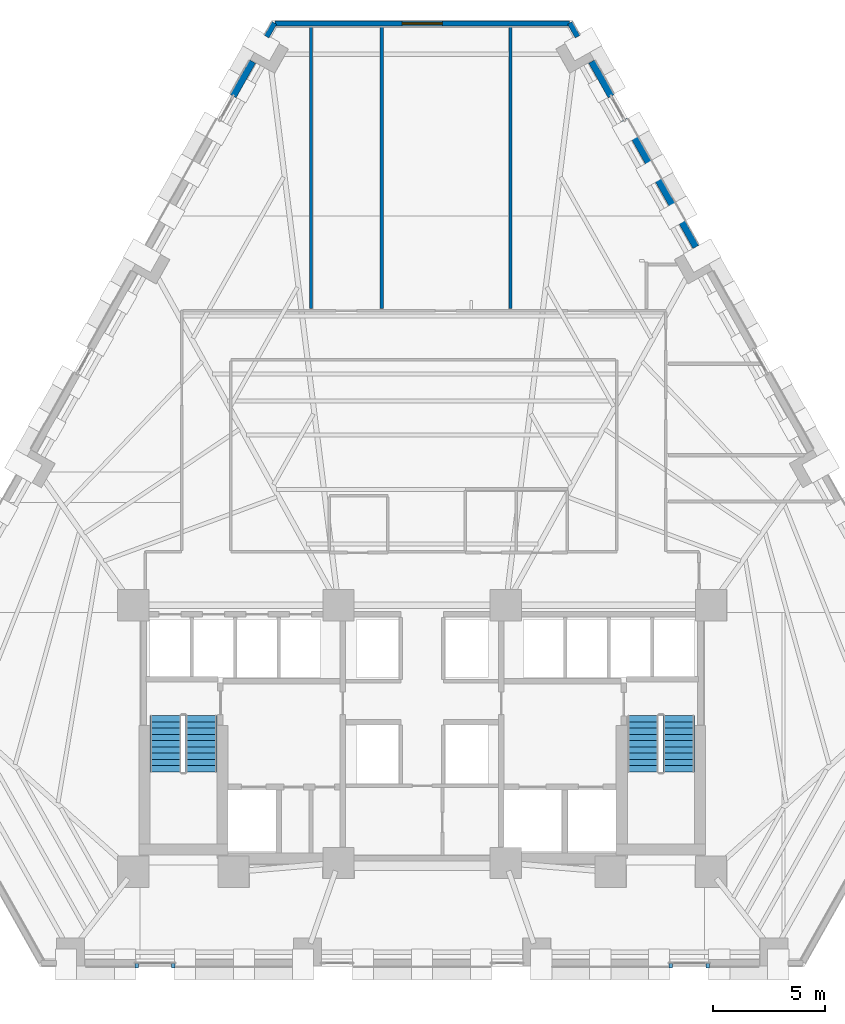
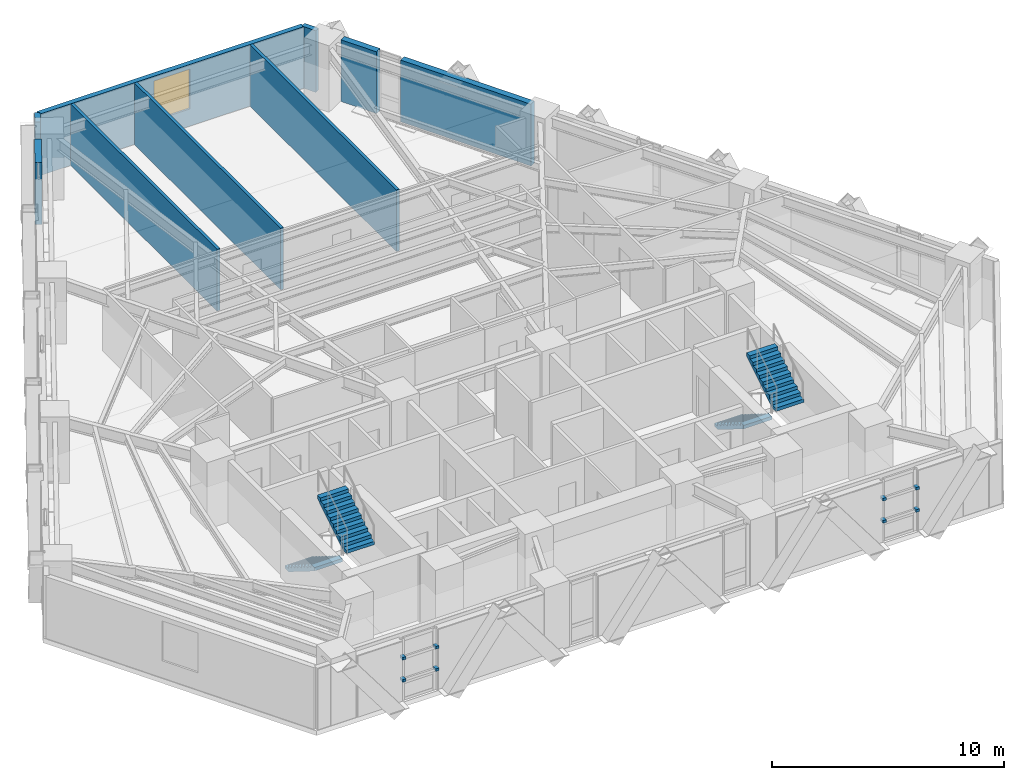
# One storey, part 9 of 13: 9 walls, 8 discrete accessories, 4 stair flights, 1 window, 1 opening, 2 elements without a shape of their own.
"""IFC4 building model written with IfcOpenShell, lengths in metres."""

from ifc_helpers import new_model, si_unit, direction, frame, frame_2d, origin, origin_2d, place, context, subcontext, project, spatial, polyline, rectangle, outline, extrude, material, layer, layer_set, type_object, element, fill, aggregate, save


model = new_model("IFC4")

# Units and contexts
model_context = context("Model", 3, precision=1e-05, world=origin(), true_north=direction((0.0, 1.0)))
body_context = subcontext(model_context, "Body", "Model", "MODEL_VIEW")
ifc_project = project(units=[si_unit("LENGTHUNIT", "METRE"), si_unit("AREAUNIT", "SQUARE_METRE"), si_unit("VOLUMEUNIT", "CUBIC_METRE"), si_unit("PLANEANGLEUNIT", "RADIAN"), si_unit("MASSUNIT", "GRAM", prefix="KILO")], contexts=[model_context])

# Site, building, storey
site_placement = place(None, origin())
site = spatial("IfcSite", under=ifc_project, at=site_placement, CompositionType="ELEMENT")
building_placement = place(site_placement, origin())
building = spatial("IfcBuilding", under=site, at=building_placement, Name="Quenlor Broadcast Tower", CompositionType="ELEMENT")
storey_placement = place(building_placement, frame((0.0, 0.0, 34.60009765625)))
storey = spatial("IfcBuildingStorey", under=building, at=storey_placement, Name="L08", CompositionType="ELEMENT", Elevation=34.60009765625)

# Walls
ifc_material_1 = material(Name="Acoustic Double Stud Gypsum Partition", Category="other")
ifc_layer_1 = layer(ifc_material_1, 0.14990234375)
ifc_layer_set_1 = layer_set([ifc_layer_1], Name="Broadcast Studio Acoustic Partition 150")
wall_type_1 = type_object("IfcWallType", Name="Broadcast Studio Acoustic Partition 150", PredefinedType="PARTITIONING", material=ifc_layer_set_1)
for number, where, z_axis, x_axis, name in (
    (1, (-1.805908203125, 21.14990234375, 0.0), (0.0, 0.0, 1.0), (0.0, -1.0, 0.0), "L08 Interior Wall PW-DV-01"),
    (2, (-4.97998046875, 8.510009765625, 0.0), (0.0, 0.0, 1.0), (0.0, 1.0, 0.0), "L08 Interior Wall PW-DV-02"),
    (3, (3.9599609375, 21.14990234375, 0.0), (0.0, 0.0, 1.0), (0.0, -1.0, 0.0), "L08 Interior Wall PW-DV-03"),
):
    element("IfcWall", number, at=place(storey_placement, frame(where, z_axis=z_axis, x_axis=x_axis)), inside=storey, type_object=wall_type_1, Name=name, PredefinedType="PARTITIONING", context=body_context, shape_type="SweptSolid", body=[
        extrude(rectangle(XDim=12.639892578125, YDim=0.14990234375, at=frame_2d((6.31982421875, 0.0))), origin(), (0.0, 0.0, 1.0), 3.25),
    ])
ifc_material_2 = material(Name="Precast concrete C40/50", Category="concrete")
ifc_layer_2 = layer(ifc_material_2, 0.239990234375)
ifc_layer_set_2 = layer_set([ifc_layer_2], Name="Terrace Threshold Precast Concrete C40/50 Wall 240")
wall_type_2 = type_object("IfcWallType", Name="Terrace Threshold Precast Concrete C40/50 Wall 240", PredefinedType="STANDARD", material=ifc_layer_set_2)
for number, where, z_axis, x_axis, name in (
    (4, (6.621826171875, 21.30126953125, 0.0), (0.0, 0.0, 1.0), (0.490261239633, -0.871575537125, 0.0), "L08 Exterior Wall L08-SHD-NES0"),
    (5, (-6.968994140625, 20.68408203125, 0.0), (0.0, 0.0, 1.0), (0.490261239633, 0.871575537125, 0.0), "L08 Exterior Wall L08-SHD-NWS1"),
):
    element("IfcWall", number, at=place(storey_placement, frame(where, z_axis=z_axis, x_axis=x_axis)), inside=storey, type_object=wall_type_2, Name=name, PredefinedType="STANDARD", context=body_context, shape_type="SweptSolid", body=[
        extrude(rectangle(XDim=0.7080078125, YDim=0.239990234375, at=frame_2d((0.35400390625, 0.0))), origin(), (0.0, 0.0, 1.0), 3.25),
    ])

# Wall, opening, window
wall_1_placement = place(storey_placement, frame((6.598388671875, 21.27197265625, 0.0), z_axis=(0.0, 0.0, 1.0), x_axis=(-1.0, 0.0, 0.0)))
wall_1 = element("IfcWall", 6, at=wall_1_placement, inside=storey, type_object=wall_type_2, Name="L08 Exterior Wall L08-CNR-02", PredefinedType="STANDARD", context=body_context, shape_type="SweptSolid", body=[
    extrude(rectangle(XDim=13.186767578125, YDim=0.239990234375, at=frame_2d((6.59326171875, 0.0))), origin(), (0.0, 0.0, 1.0), 3.25),
])
opening_placement = place(wall_1_placement, frame((5.693115234375, 0.0, 0.89990234375)))
opening = element("IfcOpeningElement", 7, at=opening_placement, cuts=wall_1, Name="Opening WN-1", PredefinedType="OPENING", context=body_context, shape_type="SweptSolid", body=[
    extrude(rectangle(XDim=1.800048828125, YDim=2.10009765625, at=frame_2d((0.89990234375, 1.050048828125))), frame((0.0, 0.1298828125, 0.0), z_axis=(0.0, -1.0, 0.0), x_axis=(1.0, 0.0, 0.0)), (0.0, 0.0, 1.0), 0.260009765625),
])
ifc_material_3 = material(Name="Thermally Broken Aluminium and Low-E Glass", Category="aluminium")
window_type = type_object("IfcWindowType", Name="Tower Acoustic Vision Window 1800x2100", PartitioningType="SINGLE_PANEL", PredefinedType="WINDOW", material=ifc_material_3)
window_placement = place(opening_placement, origin())
window = element("IfcWindow", 8, at=window_placement, inside=storey, type_object=window_type, Name="L08 Corner Chamfer Window 2", OverallHeight=2.10009765625, OverallWidth=1.800048828125, PartitioningType="SINGLE_PANEL", PredefinedType="WINDOW", context=body_context, shape_type="SweptSolid", body=[
    extrude(rectangle(XDim=1.800048828125, YDim=2.10009765625, at=frame_2d((0.89990234375, 1.050048828125))), frame((0.0, 0.030029296875, 0.0), z_axis=(0.0, -1.0, 0.0), x_axis=(1.0, 0.0, 0.0)), (0.0, 0.0, 1.0), 0.06005859375),
])
fill(opening, window)

# Walls
ifc_material_4 = material(Name="Precast concrete C40/50", Category="concrete")
ifc_layer_3 = layer(ifc_material_4, 0.300048828125)
ifc_layer_set_3 = layer_set([ifc_layer_3], Name="Terracotta Precast Concrete C40/50 Spandrel Wall 300")
wall_type_3 = type_object("IfcWallType", Name="Terracotta Precast Concrete C40/50 Spandrel Wall 300", PredefinedType="STANDARD", material=ifc_layer_set_3)
wall_2_placement = place(storey_placement, frame((7.5966796875, 19.568603515625, 0.0), z_axis=(0.0, 0.0, 1.0), x_axis=(0.490215743191, -0.87160112731, 0.0)))
element("IfcWall", 9, at=wall_2_placement, inside=storey, type_object=wall_type_3, Name="L08 Exterior Wall L08-NEA-SP1", PredefinedType="STANDARD", context=body_context, shape_type="SweptSolid", body=[
    extrude(rectangle(XDim=1.783447265625, YDim=0.300048828125, at=frame_2d((0.8916015625, 0.0))), origin(), (0.0, 0.0, 1.0), 3.25),
])
wall_3_placement = place(storey_placement, frame((9.06298828125, 16.961669921875, 0.0), z_axis=(0.0, 0.0, 1.0), x_axis=(0.490270095534, -0.871570555621, 0.0)))
element("IfcWall", 10, at=wall_3_placement, inside=storey, type_object=wall_type_3, Name="L08 Exterior Wall L08-NEA-SP2", PredefinedType="STANDARD", context=body_context, shape_type="SweptSolid", body=[
    extrude(rectangle(XDim=6.54443359375, YDim=0.300048828125, at=frame_2d((3.272216796875, 0.0))), origin(), (0.0, 0.0, 1.0), 3.25),
])
wall_4_placement = place(storey_placement, frame((-8.470947265625, 18.01416015625, 0.0), z_axis=(0.0, 0.0, 1.0), x_axis=(0.490215743191, 0.87160112731, 0.0)))
element("IfcWall", 11, at=wall_4_placement, inside=storey, type_object=wall_type_3, Name="L08 Exterior Wall L08-NWC-SP2", PredefinedType="STANDARD", context=body_context, shape_type="SweptSolid", body=[
    extrude(rectangle(XDim=1.783447265625, YDim=0.300048828125, at=frame_2d((0.8916015625, 0.0))), origin(), (0.0, 0.0, 1.0), 3.25),
])

# Stair, stair flights
ifc_material_5 = material(Name="Precast concrete C40/50", Category="concrete")
stair_type = type_object("IfcStairType", Name="Precast Concrete C40/50 Dogleg Stair H350", PredefinedType="HALF_TURN_STAIR", material=ifc_material_5)
stair_1_placement = place(storey_placement, origin())
stair_1 = element("IfcStair", 12, at=stair_1_placement, inside=storey, type_object=stair_type, Name="L08 West Core Fire-Isolated Exit Stair ST-1", PredefinedType="HALF_TURN_STAIR")
ifc_material_6 = material(Name="Precast concrete C40/50", Category="concrete")
ifc_layer_4 = layer(ifc_material_6, 0.159912109375)
ifc_layer_set_4 = layer_set([ifc_layer_4], Name="Precast Concrete C40/50 Stair Flight H350")
stair_flight_type = type_object("IfcStairFlightType", Name="Precast Concrete C40/50 Stair Flight H350", PredefinedType="STRAIGHT", material=ifc_layer_set_4)
stair_flight_1_placement = place(storey_placement, frame((-11.5, -9.75, 0.0), z_axis=(0.0, 0.0, 1.0), x_axis=(0.0, -1.0, 0.0)))
stair_flight_1 = element("IfcStairFlight", 13, at=stair_flight_1_placement, type_object=stair_flight_type, Name="ST-1 flight 1", NumberOfRisers=10, NumberOfTreads=9, PredefinedType="STRAIGHT", RiserHeight=0.175, TreadLength=0.28, context=body_context, shape_type="SweptSolid", body=[
    extrude(outline(polyline([(0.0, 0.0), (0.0, 0.175048828125), (0.280029296875, 0.175048828125), (0.280029296875, 0.35009765625), (0.56005859375, 0.35009765625), (0.56005859375, 0.52490234375), (0.840087890625, 0.52490234375), (0.840087890625, 0.699951171875), (1.1201171875, 0.699951171875), (1.1201171875, 0.875), (1.39990234375, 0.875), (1.39990234375, 1.050048828125), (1.679931640625, 1.050048828125), (1.679931640625, 1.22509765625), (1.9599609375, 1.22509765625), (1.9599609375, 1.39990234375), (2.239990234375, 1.39990234375), (2.239990234375, 1.574951171875), (2.52001953125, 1.574951171875), (2.52001953125, 1.75), (2.52001953125, 1.398193359375), (0.28271484375, 0.0), (0.0, 0.0)])), frame((0.0, 0.699951171875, 0.0), z_axis=(0.0, -1.0, 0.0), x_axis=(1.0, 0.0, 0.0)), (0.0, 0.0, 1.0), 1.39990234375),
])
stair_flight_2_placement = place(storey_placement, frame((-9.89990234375, -12.27001953125, 1.75), z_axis=(0.0, 0.0, 1.0), x_axis=(0.0, 1.0, 0.0)))
stair_flight_2 = element("IfcStairFlight", 14, at=stair_flight_2_placement, type_object=stair_flight_type, Name="ST-1 flight 2", NumberOfRisers=10, NumberOfTreads=9, PredefinedType="STRAIGHT", RiserHeight=0.175, TreadLength=0.28, context=body_context, shape_type="SweptSolid", body=[
    extrude(outline(polyline([(0.0, 0.0), (0.0, 0.175048828125), (0.280029296875, 0.175048828125), (0.280029296875, 0.35009765625), (0.56005859375, 0.35009765625), (0.56005859375, 0.52490234375), (0.840087890625, 0.52490234375), (0.840087890625, 0.699951171875), (1.1201171875, 0.699951171875), (1.1201171875, 0.875), (1.39990234375, 0.875), (1.39990234375, 1.050048828125), (1.679931640625, 1.050048828125), (1.679931640625, 1.22509765625), (1.9599609375, 1.22509765625), (1.9599609375, 1.39990234375), (2.239990234375, 1.39990234375), (2.239990234375, 1.574951171875), (2.52001953125, 1.574951171875), (2.52001953125, 1.75), (2.52001953125, 1.398193359375), (0.28271484375, 0.0), (0.0, 0.0)])), frame((0.0, 0.699951171875, 0.0), z_axis=(0.0, -1.0, 0.0), x_axis=(1.0, 0.0, 0.0)), (0.0, 0.0, 1.0), 1.39990234375),
])
aggregate(stair_1, [stair_flight_1, stair_flight_2])

stair_2_placement = place(storey_placement, origin())
stair_2 = element("IfcStair", 15, at=stair_2_placement, inside=storey, type_object=stair_type, Name="L08 East Core Fire-Isolated Exit Stair ST-2", PredefinedType="HALF_TURN_STAIR")
stair_flight_3_placement = place(storey_placement, frame((9.89990234375, -9.75, 0.0), z_axis=(0.0, 0.0, 1.0), x_axis=(0.0, -1.0, 0.0)))
stair_flight_3 = element("IfcStairFlight", 16, at=stair_flight_3_placement, type_object=stair_flight_type, Name="ST-2 flight 1", NumberOfRisers=10, NumberOfTreads=9, PredefinedType="STRAIGHT", RiserHeight=0.175, TreadLength=0.28, context=body_context, shape_type="SweptSolid", body=[
    extrude(outline(polyline([(0.0, 0.0), (0.0, 0.175048828125), (0.280029296875, 0.175048828125), (0.280029296875, 0.35009765625), (0.56005859375, 0.35009765625), (0.56005859375, 0.52490234375), (0.840087890625, 0.52490234375), (0.840087890625, 0.699951171875), (1.1201171875, 0.699951171875), (1.1201171875, 0.875), (1.39990234375, 0.875), (1.39990234375, 1.050048828125), (1.679931640625, 1.050048828125), (1.679931640625, 1.22509765625), (1.9599609375, 1.22509765625), (1.9599609375, 1.39990234375), (2.239990234375, 1.39990234375), (2.239990234375, 1.574951171875), (2.52001953125, 1.574951171875), (2.52001953125, 1.75), (2.52001953125, 1.398193359375), (0.28271484375, 0.0), (0.0, 0.0)])), frame((0.0, 0.699951171875, 0.0), z_axis=(0.0, -1.0, 0.0), x_axis=(1.0, 0.0, 0.0)), (0.0, 0.0, 1.0), 1.39990234375),
])
stair_flight_4_placement = place(storey_placement, frame((11.5, -12.27001953125, 1.75), z_axis=(0.0, 0.0, 1.0), x_axis=(0.0, 1.0, 0.0)))
stair_flight_4 = element("IfcStairFlight", 17, at=stair_flight_4_placement, type_object=stair_flight_type, Name="ST-2 flight 2", NumberOfRisers=10, NumberOfTreads=9, PredefinedType="STRAIGHT", RiserHeight=0.175, TreadLength=0.28, context=body_context, shape_type="SweptSolid", body=[
    extrude(outline(polyline([(0.0, 0.0), (0.0, 0.175048828125), (0.280029296875, 0.175048828125), (0.280029296875, 0.35009765625), (0.56005859375, 0.35009765625), (0.56005859375, 0.52490234375), (0.840087890625, 0.52490234375), (0.840087890625, 0.699951171875), (1.1201171875, 0.699951171875), (1.1201171875, 0.875), (1.39990234375, 0.875), (1.39990234375, 1.050048828125), (1.679931640625, 1.050048828125), (1.679931640625, 1.22509765625), (1.9599609375, 1.22509765625), (1.9599609375, 1.39990234375), (2.239990234375, 1.39990234375), (2.239990234375, 1.574951171875), (2.52001953125, 1.574951171875), (2.52001953125, 1.75), (2.52001953125, 1.398193359375), (0.28271484375, 0.0), (0.0, 0.0)])), frame((0.0, 0.699951171875, 0.0), z_axis=(0.0, -1.0, 0.0), x_axis=(1.0, 0.0, 0.0)), (0.0, 0.0, 1.0), 1.39990234375),
])
aggregate(stair_2, [stair_flight_3, stair_flight_4])

# Discrete accessories
ifc_material_7 = material(Name="Aluminium 6063-T6", Category="aluminium")
discrete_accessory_type = type_object("IfcDiscreteAccessoryType", Name="Stainless Mullion Baguette Support Bracket", PredefinedType="BRACKET", material=ifc_material_7)
for number, where, z_axis, x_axis, name in (
    (18, (12.794921875, -20.949951171875, 1.10009765625), (0.0, 0.0, 1.0), (-1.0, 0.0, 0.0), "L08 Baguette Mullion Bracket 1.1"),
    (19, (11.146484375, -20.949951171875, 1.10009765625), (0.0, 0.0, 1.0), (-1.0, 0.0, 0.0), "L08 Baguette Mullion Bracket 1.2"),
    (20, (12.794921875, -20.949951171875, 2.27001953125), (0.0, 0.0, 1.0), (-1.0, 0.0, 0.0), "L08 Baguette Mullion Bracket 2.1"),
    (21, (11.146484375, -20.949951171875, 2.27001953125), (0.0, 0.0, 1.0), (-1.0, 0.0, 0.0), "L08 Baguette Mullion Bracket 2.2"),
    (22, (-11.146484375, -20.949951171875, 1.10009765625), (0.0, 0.0, 1.0), (-1.0, 0.0, 0.0), "L08 Baguette Mullion Bracket 1.1"),
    (23, (-12.794921875, -20.949951171875, 1.10009765625), (0.0, 0.0, 1.0), (-1.0, 0.0, 0.0), "L08 Baguette Mullion Bracket 1.2"),
    (24, (-11.146484375, -20.949951171875, 2.27001953125), (0.0, 0.0, 1.0), (-1.0, 0.0, 0.0), "L08 Baguette Mullion Bracket 2.1"),
    (25, (-12.794921875, -20.949951171875, 2.27001953125), (0.0, 0.0, 1.0), (-1.0, 0.0, 0.0), "L08 Baguette Mullion Bracket 2.2"),
):
    element("IfcDiscreteAccessory", number, at=place(storey_placement, frame(where, z_axis=z_axis, x_axis=x_axis)), inside=storey, type_object=discrete_accessory_type, Name=name, PredefinedType="BRACKET", context=body_context, shape_type="SweptSolid", body=[
        extrude(rectangle(XDim=0.159912109375, YDim=0.239990234375, at=origin_2d()), origin(), (0.0, 0.0, 1.0), 0.139892578125),
    ])

save(model, "model.ifc")
